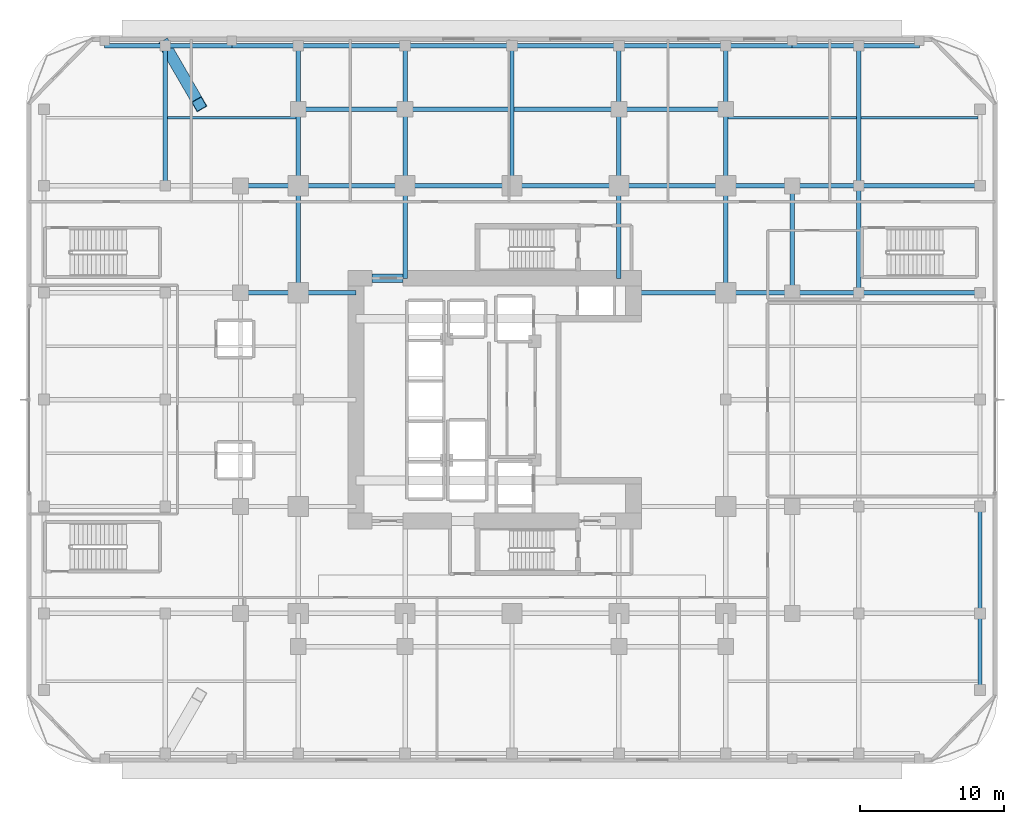
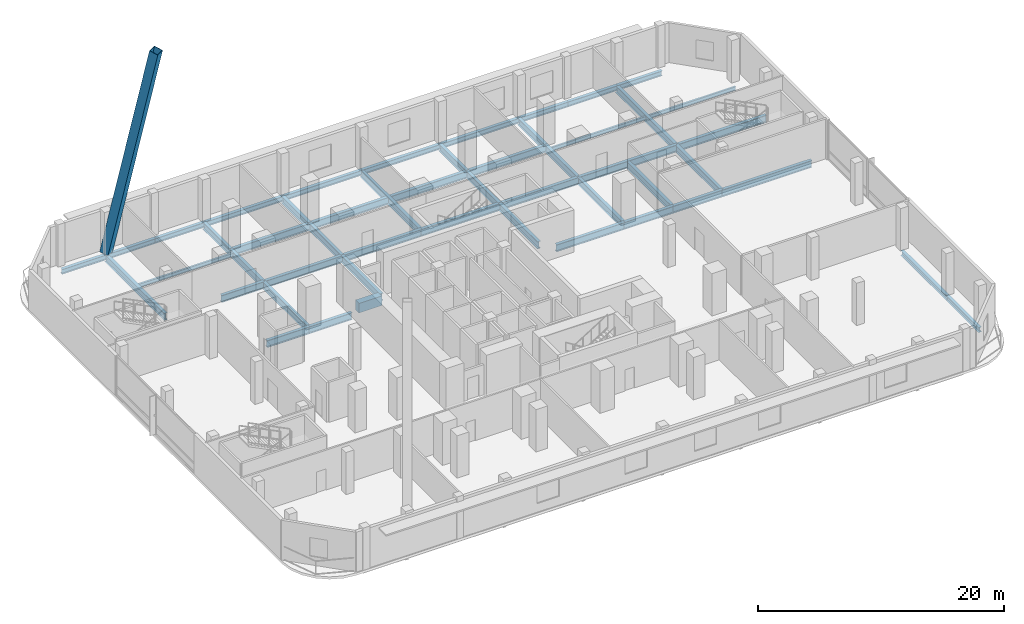
# One storey, part 5 of 19: 50 beams, 1 member.
"""IFC4 building model written with IfcOpenShell, lengths in metres."""

from ifc_helpers import new_model, si_unit, direction, frame, origin, origin_2d, place, context, subcontext, project, spatial, rectangle, hollow_rectangle, i_section, extrude, material, material_profile, profile_set, type_object, element, save


model = new_model("IFC4")

# Units and contexts
model_context = context("Model", 3, precision=1e-05, world=origin(), true_north=direction((0.0, 1.0)))
body_context = subcontext(model_context, "Body", "Model", "MODEL_VIEW")
ifc_project = project(units=[si_unit("LENGTHUNIT", "METRE"), si_unit("AREAUNIT", "SQUARE_METRE"), si_unit("VOLUMEUNIT", "CUBIC_METRE"), si_unit("PLANEANGLEUNIT", "RADIAN"), si_unit("MASSUNIT", "GRAM", prefix="KILO")], contexts=[model_context])

# Site, building, storey
site_placement = place(None, origin())
site = spatial("IfcSite", under=ifc_project, at=site_placement, CompositionType="ELEMENT")
building_placement = place(site_placement, origin())
building = spatial("IfcBuilding", under=site, at=building_placement, Name="Khorvyn Point Tower", CompositionType="ELEMENT")
storey_placement = place(building_placement, frame((0.0, 0.0, 4.800048828125)))
storey = spatial("IfcBuildingStorey", under=building, at=storey_placement, Name="L02", CompositionType="ELEMENT", Elevation=4.800048828125)

# Beams
ifc_material_1 = material(Name="Concrete C50/60", Category="concrete")
ifc_material_profile_1 = material_profile(ifc_material_1, rectangle(XDim=0.60009765625, YDim=0.949951171875, at=origin_2d()))
ifc_profile_set_1 = profile_set([ifc_material_profile_1], Name="Concrete C50/60 RC600x950")
beam_type_1 = type_object("IfcBeamType", Name="Concrete C50/60 Beam RC600x950", PredefinedType="BEAM", material=ifc_profile_set_1)
beam_1_placement = place(storey_placement, frame((-9.699951171875, 8.39990234375, -0.715087890625), z_axis=(1.0, 0.0, 0.0), x_axis=(0.0, 1.0, 0.0)))
element("IfcBeam", 1, at=beam_1_placement, inside=storey, type_object=beam_type_1, Name="L02 Core Northwest Portal Coupling Beam", PredefinedType="BEAM", context=body_context, shape_type="SweptSolid", body=[
    extrude(rectangle(XDim=0.60009765625, YDim=0.949951171875, at=origin_2d()), origin(), (0.0, 0.0, 1.0), 2.14990234375),
])
ifc_material_2 = material(Name="Steel S355", Category="steel")
ifc_material_profile_2 = material_profile(ifc_material_2, i_section(OverallWidth=0.300048828125, OverallDepth=0.699951171875, WebThickness=0.012939453125, FlangeThickness=0.02392578125, at=origin_2d()))
ifc_profile_set_2 = profile_set([ifc_material_profile_2], Name="Steel S355 H700x300x13x24")
beam_type_2 = type_object("IfcBeamType", Name="Steel S355 Beam H700x300x13x24", PredefinedType="BEAM", material=ifc_profile_set_2)
for number, where, z_axis, x_axis, name in (
    (2, (-18.800048828125, 7.39990234375, -0.590087890625), (1.0, 0.0, 0.0), (0.0, 1.0, 0.0), "Beam"),
    (3, (-14.800048828125, 7.39990234375, -0.590087890625), (1.0, 0.0, 0.0), (0.0, 1.0, 0.0), "Beam"),
):
    element("IfcBeam", number, at=place(storey_placement, frame(where, z_axis=z_axis, x_axis=x_axis)), inside=storey, type_object=beam_type_2, Name=name, PredefinedType="BEAM", context=body_context, shape_type="SweptSolid", body=[
        extrude(i_section(OverallWidth=0.300048828125, OverallDepth=0.699951171875, WebThickness=0.012939453125, FlangeThickness=0.02392578125, at=origin_2d()), origin(), (0.0, 0.0, 1.0), 4.0),
    ])
beam_2_placement = place(storey_placement, frame((8.39990234375, 7.39990234375, -0.590087890625), z_axis=(1.0, 0.0, 0.0), x_axis=(0.0, 1.0, 0.0)))
element("IfcBeam", 4, at=beam_2_placement, inside=storey, type_object=beam_type_2, Name="Beam", PredefinedType="BEAM", context=body_context, shape_type="SweptSolid", body=[
    extrude(i_section(OverallWidth=0.300048828125, OverallDepth=0.699951171875, WebThickness=0.012939453125, FlangeThickness=0.02392578125, at=origin_2d()), origin(), (0.0, 0.0, 1.0), 6.400146484375),
])
beam_3_placement = place(storey_placement, frame((14.800048828125, 7.39990234375, -0.590087890625), z_axis=(1.0, 0.0, 0.0), x_axis=(0.0, 1.0, 0.0)))
element("IfcBeam", 5, at=beam_3_placement, inside=storey, type_object=beam_type_2, Name="Beam", PredefinedType="BEAM", context=body_context, shape_type="SweptSolid", body=[
    extrude(i_section(OverallWidth=0.300048828125, OverallDepth=0.699951171875, WebThickness=0.012939453125, FlangeThickness=0.02392578125, at=origin_2d()), origin(), (0.0, 0.0, 1.0), 4.599853515625),
])
beam_4_placement = place(storey_placement, frame((19.39990234375, 7.39990234375, -0.590087890625), z_axis=(1.0, 0.0, 0.0), x_axis=(0.0, 1.0, 0.0)))
element("IfcBeam", 6, at=beam_4_placement, inside=storey, type_object=beam_type_2, Name="Beam", PredefinedType="BEAM", context=body_context, shape_type="SweptSolid", body=[
    extrude(i_section(OverallWidth=0.300048828125, OverallDepth=0.699951171875, WebThickness=0.012939453125, FlangeThickness=0.02392578125, at=origin_2d()), origin(), (0.0, 0.0, 1.0), 4.60009765625),
])
beam_5_placement = place(storey_placement, frame((24.0, 7.39990234375, -0.590087890625), z_axis=(1.0, 0.0, 0.0), x_axis=(0.0, 1.0, 0.0)))
element("IfcBeam", 7, at=beam_5_placement, inside=storey, type_object=beam_type_2, Name="Beam", PredefinedType="BEAM", context=body_context, shape_type="SweptSolid", body=[
    extrude(i_section(OverallWidth=0.300048828125, OverallDepth=0.699951171875, WebThickness=0.012939453125, FlangeThickness=0.02392578125, at=origin_2d()), origin(), (0.0, 0.0, 1.0), 8.39990234375),
])
beam_6_placement = place(storey_placement, frame((-18.800048828125, 14.800048828125, -0.590087890625), z_axis=(1.0, 0.0, 0.0), x_axis=(0.0, 1.0, 0.0)))
element("IfcBeam", 8, at=beam_6_placement, inside=storey, type_object=beam_type_2, Name="Beam", PredefinedType="BEAM", context=body_context, shape_type="SweptSolid", body=[
    extrude(i_section(OverallWidth=0.300048828125, OverallDepth=0.699951171875, WebThickness=0.012939453125, FlangeThickness=0.02392578125, at=origin_2d()), origin(), (0.0, 0.0, 1.0), 4.0),
])
beam_7_placement = place(storey_placement, frame((-14.800048828125, 14.800048828125, -0.590087890625), z_axis=(1.0, 0.0, 0.0), x_axis=(0.0, 1.0, 0.0)))
element("IfcBeam", 9, at=beam_7_placement, inside=storey, type_object=beam_type_2, Name="Beam", PredefinedType="BEAM", context=body_context, shape_type="SweptSolid", body=[
    extrude(i_section(OverallWidth=0.300048828125, OverallDepth=0.699951171875, WebThickness=0.012939453125, FlangeThickness=0.02392578125, at=origin_2d()), origin(), (0.0, 0.0, 1.0), 7.400146484375),
])
for number, where, z_axis, x_axis, name in (
    (10, (-7.39990234375, 14.800048828125, -0.590087890625), (1.0, 0.0, 0.0), (0.0, 1.0, 0.0), "Beam"),
    (11, (0.0, 14.800048828125, -0.590087890625), (1.0, 0.0, 0.0), (0.0, 1.0, 0.0), "Beam"),
):
    element("IfcBeam", number, at=place(storey_placement, frame(where, z_axis=z_axis, x_axis=x_axis)), inside=storey, type_object=beam_type_2, Name=name, PredefinedType="BEAM", context=body_context, shape_type="SweptSolid", body=[
        extrude(i_section(OverallWidth=0.300048828125, OverallDepth=0.699951171875, WebThickness=0.012939453125, FlangeThickness=0.02392578125, at=origin_2d()), origin(), (0.0, 0.0, 1.0), 7.39990234375),
    ])
beam_8_placement = place(storey_placement, frame((7.39990234375, 14.800048828125, -0.590087890625), z_axis=(1.0, 0.0, 0.0), x_axis=(0.0, 1.0, 0.0)))
element("IfcBeam", 12, at=beam_8_placement, inside=storey, type_object=beam_type_2, Name="Beam", PredefinedType="BEAM", context=body_context, shape_type="SweptSolid", body=[
    extrude(i_section(OverallWidth=0.300048828125, OverallDepth=0.699951171875, WebThickness=0.012939453125, FlangeThickness=0.02392578125, at=origin_2d()), origin(), (0.0, 0.0, 1.0), 7.400146484375),
])
beam_9_placement = place(storey_placement, frame((14.800048828125, 14.800048828125, -0.590087890625), z_axis=(1.0, 0.0, 0.0), x_axis=(0.0, 1.0, 0.0)))
element("IfcBeam", 13, at=beam_9_placement, inside=storey, type_object=beam_type_2, Name="Beam", PredefinedType="BEAM", context=body_context, shape_type="SweptSolid", body=[
    extrude(i_section(OverallWidth=0.300048828125, OverallDepth=0.699951171875, WebThickness=0.012939453125, FlangeThickness=0.02392578125, at=origin_2d()), origin(), (0.0, 0.0, 1.0), 4.599853515625),
])
beam_10_placement = place(storey_placement, frame((19.39990234375, 14.800048828125, -0.590087890625), z_axis=(1.0, 0.0, 0.0), x_axis=(0.0, 1.0, 0.0)))
element("IfcBeam", 14, at=beam_10_placement, inside=storey, type_object=beam_type_2, Name="Beam", PredefinedType="BEAM", context=body_context, shape_type="SweptSolid", body=[
    extrude(i_section(OverallWidth=0.300048828125, OverallDepth=0.699951171875, WebThickness=0.012939453125, FlangeThickness=0.02392578125, at=origin_2d()), origin(), (0.0, 0.0, 1.0), 4.60009765625),
])
beam_11_placement = place(storey_placement, frame((24.0, 14.800048828125, -0.590087890625), z_axis=(1.0, 0.0, 0.0), x_axis=(0.0, 1.0, 0.0)))
element("IfcBeam", 15, at=beam_11_placement, inside=storey, type_object=beam_type_2, Name="Beam", PredefinedType="BEAM", context=body_context, shape_type="SweptSolid", body=[
    extrude(i_section(OverallWidth=0.300048828125, OverallDepth=0.699951171875, WebThickness=0.012939453125, FlangeThickness=0.02392578125, at=origin_2d()), origin(), (0.0, 0.0, 1.0), 8.39990234375),
])
beam_12_placement = place(storey_placement, frame((-14.800048828125, 20.10009765625, -0.590087890625), z_axis=(1.0, 0.0, 0.0), x_axis=(0.0, 1.0, 0.0)))
element("IfcBeam", 16, at=beam_12_placement, inside=storey, type_object=beam_type_2, Name="Beam", PredefinedType="BEAM", context=body_context, shape_type="SweptSolid", body=[
    extrude(i_section(OverallWidth=0.300048828125, OverallDepth=0.699951171875, WebThickness=0.012939453125, FlangeThickness=0.02392578125, at=origin_2d()), origin(), (0.0, 0.0, 1.0), 7.400146484375),
])
beam_13_placement = place(storey_placement, frame((-7.39990234375, 20.10009765625, -0.590087890625), z_axis=(1.0, 0.0, 0.0), x_axis=(0.0, 1.0, 0.0)))
element("IfcBeam", 17, at=beam_13_placement, inside=storey, type_object=beam_type_2, Name="Beam", PredefinedType="BEAM", context=body_context, shape_type="SweptSolid", body=[
    extrude(i_section(OverallWidth=0.300048828125, OverallDepth=0.699951171875, WebThickness=0.012939453125, FlangeThickness=0.02392578125, at=origin_2d()), origin(), (0.0, 0.0, 1.0), 14.7998046875),
])
beam_14_placement = place(storey_placement, frame((7.39990234375, 20.10009765625, -0.590087890625), z_axis=(1.0, 0.0, 0.0), x_axis=(0.0, 1.0, 0.0)))
element("IfcBeam", 18, at=beam_14_placement, inside=storey, type_object=beam_type_2, Name="Beam", PredefinedType="BEAM", context=body_context, shape_type="SweptSolid", body=[
    extrude(i_section(OverallWidth=0.300048828125, OverallDepth=0.699951171875, WebThickness=0.012939453125, FlangeThickness=0.02392578125, at=origin_2d()), origin(), (0.0, 0.0, 1.0), 7.400146484375),
])
beam_15_placement = place(storey_placement, frame((-24.0, 14.800048828125, -0.590087890625), z_axis=(0.0, 1.0, 0.0), x_axis=(-1.0, 0.0, 0.0)))
element("IfcBeam", 19, at=beam_15_placement, inside=storey, type_object=beam_type_2, Name="Beam", PredefinedType="BEAM", context=body_context, shape_type="SweptSolid", body=[
    extrude(i_section(OverallWidth=0.300048828125, OverallDepth=0.699951171875, WebThickness=0.012939453125, FlangeThickness=0.02392578125, at=origin_2d()), origin(), (0.0, 0.0, 1.0), 9.699951171875),
])
beam_16_placement = place(storey_placement, frame((-14.800048828125, 7.39990234375, -0.590087890625), z_axis=(0.0, 1.0, 0.0), x_axis=(-1.0, 0.0, 0.0)))
element("IfcBeam", 20, at=beam_16_placement, inside=storey, type_object=beam_type_2, Name="Beam", PredefinedType="BEAM", context=body_context, shape_type="SweptSolid", body=[
    extrude(i_section(OverallWidth=0.300048828125, OverallDepth=0.699951171875, WebThickness=0.012939453125, FlangeThickness=0.02392578125, at=origin_2d()), origin(), (0.0, 0.0, 1.0), 7.400146484375),
])
beam_17_placement = place(storey_placement, frame((-14.800048828125, 14.800048828125, -0.590087890625), z_axis=(0.0, 1.0, 0.0), x_axis=(-1.0, 0.0, 0.0)))
element("IfcBeam", 21, at=beam_17_placement, inside=storey, type_object=beam_type_2, Name="Beam", PredefinedType="BEAM", context=body_context, shape_type="SweptSolid", body=[
    extrude(i_section(OverallWidth=0.300048828125, OverallDepth=0.699951171875, WebThickness=0.012939453125, FlangeThickness=0.02392578125, at=origin_2d()), origin(), (0.0, 0.0, 1.0), 5.300048828125),
])
beam_18_placement = place(storey_placement, frame((-14.800048828125, 20.10009765625, -0.590087890625), z_axis=(0.0, 1.0, 0.0), x_axis=(-1.0, 0.0, 0.0)))
element("IfcBeam", 22, at=beam_18_placement, inside=storey, type_object=beam_type_2, Name="Beam", PredefinedType="BEAM", context=body_context, shape_type="SweptSolid", body=[
    extrude(i_section(OverallWidth=0.300048828125, OverallDepth=0.699951171875, WebThickness=0.012939453125, FlangeThickness=0.02392578125, at=origin_2d()), origin(), (0.0, 0.0, 1.0), 4.39990234375),
])
beam_19_placement = place(storey_placement, frame((-7.39990234375, 8.39990234375, -0.590087890625), z_axis=(0.0, 1.0, 0.0), x_axis=(-1.0, 0.0, 0.0)))
element("IfcBeam", 23, at=beam_19_placement, inside=storey, type_object=beam_type_2, Name="Beam", PredefinedType="BEAM", context=body_context, shape_type="SweptSolid", body=[
    extrude(i_section(OverallWidth=0.300048828125, OverallDepth=0.699951171875, WebThickness=0.012939453125, FlangeThickness=0.02392578125, at=origin_2d()), origin(), (0.0, 0.0, 1.0), 6.400146484375),
])
beam_20_placement = place(storey_placement, frame((-7.39990234375, 14.800048828125, -0.590087890625), z_axis=(0.0, 1.0, 0.0), x_axis=(-1.0, 0.0, 0.0)))
element("IfcBeam", 24, at=beam_20_placement, inside=storey, type_object=beam_type_2, Name="Beam", PredefinedType="BEAM", context=body_context, shape_type="SweptSolid", body=[
    extrude(i_section(OverallWidth=0.300048828125, OverallDepth=0.699951171875, WebThickness=0.012939453125, FlangeThickness=0.02392578125, at=origin_2d()), origin(), (0.0, 0.0, 1.0), 5.300048828125),
])
beam_21_placement = place(storey_placement, frame((-7.39990234375, 20.10009765625, -0.590087890625), z_axis=(0.0, 1.0, 0.0), x_axis=(-1.0, 0.0, 0.0)))
element("IfcBeam", 25, at=beam_21_placement, inside=storey, type_object=beam_type_2, Name="Beam", PredefinedType="BEAM", context=body_context, shape_type="SweptSolid", body=[
    extrude(i_section(OverallWidth=0.300048828125, OverallDepth=0.699951171875, WebThickness=0.012939453125, FlangeThickness=0.02392578125, at=origin_2d()), origin(), (0.0, 0.0, 1.0), 4.39990234375),
])
beam_22_placement = place(storey_placement, frame((0.0, 14.800048828125, -0.590087890625), z_axis=(0.0, 1.0, 0.0), x_axis=(-1.0, 0.0, 0.0)))
element("IfcBeam", 26, at=beam_22_placement, inside=storey, type_object=beam_type_2, Name="Beam", PredefinedType="BEAM", context=body_context, shape_type="SweptSolid", body=[
    extrude(i_section(OverallWidth=0.300048828125, OverallDepth=0.699951171875, WebThickness=0.012939453125, FlangeThickness=0.02392578125, at=origin_2d()), origin(), (0.0, 0.0, 1.0), 9.699951171875),
])
beam_23_placement = place(storey_placement, frame((7.39990234375, 8.39990234375, -0.590087890625), z_axis=(0.0, 1.0, 0.0), x_axis=(-1.0, 0.0, 0.0)))
element("IfcBeam", 27, at=beam_23_placement, inside=storey, type_object=beam_type_2, Name="Beam", PredefinedType="BEAM", context=body_context, shape_type="SweptSolid", body=[
    extrude(i_section(OverallWidth=0.300048828125, OverallDepth=0.699951171875, WebThickness=0.012939453125, FlangeThickness=0.02392578125, at=origin_2d()), origin(), (0.0, 0.0, 1.0), 6.400146484375),
])
beam_24_placement = place(storey_placement, frame((7.39990234375, 14.800048828125, -0.590087890625), z_axis=(0.0, 1.0, 0.0), x_axis=(-1.0, 0.0, 0.0)))
element("IfcBeam", 28, at=beam_24_placement, inside=storey, type_object=beam_type_2, Name="Beam", PredefinedType="BEAM", context=body_context, shape_type="SweptSolid", body=[
    extrude(i_section(OverallWidth=0.300048828125, OverallDepth=0.699951171875, WebThickness=0.012939453125, FlangeThickness=0.02392578125, at=origin_2d()), origin(), (0.0, 0.0, 1.0), 5.300048828125),
])
beam_25_placement = place(storey_placement, frame((7.39990234375, 20.10009765625, -0.590087890625), z_axis=(0.0, 1.0, 0.0), x_axis=(-1.0, 0.0, 0.0)))
element("IfcBeam", 29, at=beam_25_placement, inside=storey, type_object=beam_type_2, Name="Beam", PredefinedType="BEAM", context=body_context, shape_type="SweptSolid", body=[
    extrude(i_section(OverallWidth=0.300048828125, OverallDepth=0.699951171875, WebThickness=0.012939453125, FlangeThickness=0.02392578125, at=origin_2d()), origin(), (0.0, 0.0, 1.0), 4.39990234375),
])
beam_26_placement = place(storey_placement, frame((14.800048828125, 7.39990234375, -0.590087890625), z_axis=(0.0, 1.0, 0.0), x_axis=(-1.0, 0.0, 0.0)))
element("IfcBeam", 30, at=beam_26_placement, inside=storey, type_object=beam_type_2, Name="Beam", PredefinedType="BEAM", context=body_context, shape_type="SweptSolid", body=[
    extrude(i_section(OverallWidth=0.300048828125, OverallDepth=0.699951171875, WebThickness=0.012939453125, FlangeThickness=0.02392578125, at=origin_2d()), origin(), (0.0, 0.0, 1.0), 7.400146484375),
])
beam_27_placement = place(storey_placement, frame((14.800048828125, 14.800048828125, -0.590087890625), z_axis=(0.0, 1.0, 0.0), x_axis=(-1.0, 0.0, 0.0)))
element("IfcBeam", 31, at=beam_27_placement, inside=storey, type_object=beam_type_2, Name="Beam", PredefinedType="BEAM", context=body_context, shape_type="SweptSolid", body=[
    extrude(i_section(OverallWidth=0.300048828125, OverallDepth=0.699951171875, WebThickness=0.012939453125, FlangeThickness=0.02392578125, at=origin_2d()), origin(), (0.0, 0.0, 1.0), 5.300048828125),
])
beam_28_placement = place(storey_placement, frame((14.800048828125, 20.10009765625, -0.590087890625), z_axis=(0.0, 1.0, 0.0), x_axis=(-1.0, 0.0, 0.0)))
element("IfcBeam", 32, at=beam_28_placement, inside=storey, type_object=beam_type_2, Name="Beam", PredefinedType="BEAM", context=body_context, shape_type="SweptSolid", body=[
    extrude(i_section(OverallWidth=0.300048828125, OverallDepth=0.699951171875, WebThickness=0.012939453125, FlangeThickness=0.02392578125, at=origin_2d()), origin(), (0.0, 0.0, 1.0), 4.39990234375),
])
beam_29_placement = place(storey_placement, frame((24.0, 7.39990234375, -0.590087890625), z_axis=(0.0, 1.0, 0.0), x_axis=(-1.0, 0.0, 0.0)))
element("IfcBeam", 33, at=beam_29_placement, inside=storey, type_object=beam_type_2, Name="Beam", PredefinedType="BEAM", context=body_context, shape_type="SweptSolid", body=[
    extrude(i_section(OverallWidth=0.300048828125, OverallDepth=0.699951171875, WebThickness=0.012939453125, FlangeThickness=0.02392578125, at=origin_2d()), origin(), (0.0, 0.0, 1.0), 7.400146484375),
])
beam_30_placement = place(storey_placement, frame((24.0, 14.800048828125, -0.590087890625), z_axis=(0.0, 1.0, 0.0), x_axis=(-1.0, 0.0, 0.0)))
element("IfcBeam", 34, at=beam_30_placement, inside=storey, type_object=beam_type_2, Name="Beam", PredefinedType="BEAM", context=body_context, shape_type="SweptSolid", body=[
    extrude(i_section(OverallWidth=0.300048828125, OverallDepth=0.699951171875, WebThickness=0.012939453125, FlangeThickness=0.02392578125, at=origin_2d()), origin(), (0.0, 0.0, 1.0), 9.699951171875),
])
beam_31_placement = place(storey_placement, frame((19.39990234375, 7.39990234375, -0.590087890625), z_axis=(0.0, 1.0, 0.0), x_axis=(-1.0, 0.0, 0.0)))
element("IfcBeam", 35, at=beam_31_placement, inside=storey, type_object=beam_type_2, Name="Beam", PredefinedType="BEAM", context=body_context, shape_type="SweptSolid", body=[
    extrude(i_section(OverallWidth=0.300048828125, OverallDepth=0.699951171875, WebThickness=0.012939453125, FlangeThickness=0.02392578125, at=origin_2d()), origin(), (0.0, 0.0, 1.0), 7.400146484375),
])
ifc_material_profile_3 = material_profile(ifc_material_2, i_section(OverallWidth=0.175048828125, OverallDepth=0.35009765625, WebThickness=0.007080078125, FlangeThickness=0.010986328125, at=origin_2d()))
ifc_profile_set_3 = profile_set([ifc_material_profile_3], Name="Steel S355 H350x175x7x11")
beam_type_3 = type_object("IfcBeamType", Name="Steel S355 Joist H350x175x7x11", PredefinedType="JOIST", material=ifc_profile_set_3)
for number, where, z_axis, x_axis, name in (
    (36, (-23.85009765625, 19.5, -0.4150390625), (1.0, 0.0, 0.0), (0.0, 1.0, 0.0), "Beam"),
    (37, (14.949951171875, 19.5, -0.4150390625), (1.0, 0.0, 0.0), (0.0, 1.0, 0.0), "Beam"),
):
    element("IfcBeam", number, at=place(storey_placement, frame(where, z_axis=z_axis, x_axis=x_axis)), inside=storey, type_object=beam_type_3, Name=name, PredefinedType="JOIST", context=body_context, shape_type="SweptSolid", body=[
        extrude(i_section(OverallWidth=0.175048828125, OverallDepth=0.35009765625, WebThickness=0.007080078125, FlangeThickness=0.010986328125, at=origin_2d()), origin(), (0.0, 0.0, 1.0), 8.900146484375),
    ])
beam_32_placement = place(storey_placement, frame((24.14990234375, 19.5, -0.4150390625), z_axis=(1.0, 0.0, 0.0), x_axis=(0.0, 1.0, 0.0)))
element("IfcBeam", 38, at=beam_32_placement, inside=storey, type_object=beam_type_3, Name="Beam", PredefinedType="JOIST", context=body_context, shape_type="SweptSolid", body=[
    extrude(i_section(OverallWidth=0.175048828125, OverallDepth=0.35009765625, WebThickness=0.007080078125, FlangeThickness=0.010986328125, at=origin_2d()), origin(), (0.0, 0.0, 1.0), 8.10009765625),
])
ifc_material_profile_4 = material_profile(ifc_material_2, i_section(OverallWidth=0.300048828125, OverallDepth=0.488037109375, WebThickness=0.010986328125, FlangeThickness=0.01806640625, at=origin_2d()))
ifc_profile_set_4 = profile_set([ifc_material_profile_4], Name="Steel S355 H488x300x11x18")
beam_type_4 = type_object("IfcBeamType", Name="Steel S355 Spandrel H488x300x11x18", PredefinedType="SPANDREL", material=ifc_profile_set_4)
beam_33_placement = place(storey_placement, frame((-28.199951171875, 24.5, -0.484130859375), z_axis=(1.0, 0.0, 0.0), x_axis=(0.0, 1.0, 0.0)))
element("IfcBeam", 39, at=beam_33_placement, inside=storey, type_object=beam_type_4, Name="Beam", PredefinedType="SPANDREL", context=body_context, shape_type="SweptSolid", body=[
    extrude(i_section(OverallWidth=0.300048828125, OverallDepth=0.488037109375, WebThickness=0.010986328125, FlangeThickness=0.01806640625, at=origin_2d()), origin(), (0.0, 0.0, 1.0), 4.199951171875),
])
beam_34_placement = place(storey_placement, frame((-24.0, 24.5, -0.484130859375), z_axis=(1.0, 0.0, 0.0), x_axis=(0.0, 1.0, 0.0)))
element("IfcBeam", 40, at=beam_34_placement, inside=storey, type_object=beam_type_4, Name="Beam", PredefinedType="SPANDREL", context=body_context, shape_type="SweptSolid", body=[
    extrude(i_section(OverallWidth=0.300048828125, OverallDepth=0.488037109375, WebThickness=0.010986328125, FlangeThickness=0.01806640625, at=origin_2d()), origin(), (0.0, 0.0, 1.0), 4.60009765625),
])
beam_35_placement = place(storey_placement, frame((-19.39990234375, 24.5, -0.484130859375), z_axis=(1.0, 0.0, 0.0), x_axis=(0.0, 1.0, 0.0)))
element("IfcBeam", 41, at=beam_35_placement, inside=storey, type_object=beam_type_4, Name="Beam", PredefinedType="SPANDREL", context=body_context, shape_type="SweptSolid", body=[
    extrude(i_section(OverallWidth=0.300048828125, OverallDepth=0.488037109375, WebThickness=0.010986328125, FlangeThickness=0.01806640625, at=origin_2d()), origin(), (0.0, 0.0, 1.0), 4.599853515625),
])
beam_36_placement = place(storey_placement, frame((-14.800048828125, 24.5, -0.484130859375), z_axis=(1.0, 0.0, 0.0), x_axis=(0.0, 1.0, 0.0)))
element("IfcBeam", 42, at=beam_36_placement, inside=storey, type_object=beam_type_4, Name="Beam", PredefinedType="SPANDREL", context=body_context, shape_type="SweptSolid", body=[
    extrude(i_section(OverallWidth=0.300048828125, OverallDepth=0.488037109375, WebThickness=0.010986328125, FlangeThickness=0.01806640625, at=origin_2d()), origin(), (0.0, 0.0, 1.0), 7.400146484375),
])
for number, where, z_axis, x_axis, name in (
    (43, (-7.39990234375, 24.5, -0.484130859375), (1.0, 0.0, 0.0), (0.0, 1.0, 0.0), "Beam"),
    (44, (0.0, 24.5, -0.484130859375), (1.0, 0.0, 0.0), (0.0, 1.0, 0.0), "Beam"),
):
    element("IfcBeam", number, at=place(storey_placement, frame(where, z_axis=z_axis, x_axis=x_axis)), inside=storey, type_object=beam_type_4, Name=name, PredefinedType="SPANDREL", context=body_context, shape_type="SweptSolid", body=[
        extrude(i_section(OverallWidth=0.300048828125, OverallDepth=0.488037109375, WebThickness=0.010986328125, FlangeThickness=0.01806640625, at=origin_2d()), origin(), (0.0, 0.0, 1.0), 7.39990234375),
    ])
beam_37_placement = place(storey_placement, frame((7.39990234375, 24.5, -0.484130859375), z_axis=(1.0, 0.0, 0.0), x_axis=(0.0, 1.0, 0.0)))
element("IfcBeam", 45, at=beam_37_placement, inside=storey, type_object=beam_type_4, Name="Beam", PredefinedType="SPANDREL", context=body_context, shape_type="SweptSolid", body=[
    extrude(i_section(OverallWidth=0.300048828125, OverallDepth=0.488037109375, WebThickness=0.010986328125, FlangeThickness=0.01806640625, at=origin_2d()), origin(), (0.0, 0.0, 1.0), 7.400146484375),
])
beam_38_placement = place(storey_placement, frame((14.800048828125, 24.5, -0.484130859375), z_axis=(1.0, 0.0, 0.0), x_axis=(0.0, 1.0, 0.0)))
element("IfcBeam", 46, at=beam_38_placement, inside=storey, type_object=beam_type_4, Name="Beam", PredefinedType="SPANDREL", context=body_context, shape_type="SweptSolid", body=[
    extrude(i_section(OverallWidth=0.300048828125, OverallDepth=0.488037109375, WebThickness=0.010986328125, FlangeThickness=0.01806640625, at=origin_2d()), origin(), (0.0, 0.0, 1.0), 4.599853515625),
])
beam_39_placement = place(storey_placement, frame((19.39990234375, 24.5, -0.484130859375), z_axis=(1.0, 0.0, 0.0), x_axis=(0.0, 1.0, 0.0)))
element("IfcBeam", 47, at=beam_39_placement, inside=storey, type_object=beam_type_4, Name="Beam", PredefinedType="SPANDREL", context=body_context, shape_type="SweptSolid", body=[
    extrude(i_section(OverallWidth=0.300048828125, OverallDepth=0.488037109375, WebThickness=0.010986328125, FlangeThickness=0.01806640625, at=origin_2d()), origin(), (0.0, 0.0, 1.0), 4.60009765625),
])
beam_40_placement = place(storey_placement, frame((24.0, 24.5, -0.484130859375), z_axis=(1.0, 0.0, 0.0), x_axis=(0.0, 1.0, 0.0)))
element("IfcBeam", 48, at=beam_40_placement, inside=storey, type_object=beam_type_4, Name="Beam", PredefinedType="SPANDREL", context=body_context, shape_type="SweptSolid", body=[
    extrude(i_section(OverallWidth=0.300048828125, OverallDepth=0.488037109375, WebThickness=0.010986328125, FlangeThickness=0.01806640625, at=origin_2d()), origin(), (0.0, 0.0, 1.0), 4.199951171875),
])
beam_41_placement = place(storey_placement, frame((32.39990234375, -20.10009765625, -0.484130859375), z_axis=(0.0, 1.0, 0.0), x_axis=(-1.0, 0.0, 0.0)))
element("IfcBeam", 49, at=beam_41_placement, inside=storey, type_object=beam_type_4, Name="Beam", PredefinedType="SPANDREL", context=body_context, shape_type="SweptSolid", body=[
    extrude(i_section(OverallWidth=0.300048828125, OverallDepth=0.488037109375, WebThickness=0.010986328125, FlangeThickness=0.01806640625, at=origin_2d()), origin(), (0.0, 0.0, 1.0), 5.300048828125),
])
beam_42_placement = place(storey_placement, frame((32.39990234375, -14.800048828125, -0.484130859375), z_axis=(0.0, 1.0, 0.0), x_axis=(-1.0, 0.0, 0.0)))
element("IfcBeam", 50, at=beam_42_placement, inside=storey, type_object=beam_type_4, Name="Beam", PredefinedType="SPANDREL", context=body_context, shape_type="SweptSolid", body=[
    extrude(i_section(OverallWidth=0.300048828125, OverallDepth=0.488037109375, WebThickness=0.010986328125, FlangeThickness=0.01806640625, at=origin_2d()), origin(), (0.0, 0.0, 1.0), 7.400146484375),
])

# Member
ifc_material_3 = material(Name="Steel S450", Category="steel")
ifc_material_profile_5 = material_profile(ifc_material_3, hollow_rectangle(XDim=0.800048828125, YDim=0.800048828125, WallThickness=0.035888671875, at=origin_2d()))
ifc_profile_set_5 = profile_set([ifc_material_profile_5], Name="Steel S450 BOX800x800x36")
member_type = type_object("IfcMemberType", Name="Steel S450 Exoskeleton Structural Post BOX800x800x36", PredefinedType="POST", material=ifc_profile_set_5)
member_placement = place(storey_placement, frame((-24.0, 24.5, 0.0), z_axis=(0.10633169244, -0.18324708559, 0.977299379313), x_axis=(0.864932060113, 0.501888963207, 0.0)))
element("IfcMember", 51, at=member_placement, inside=storey, type_object=member_type, Name="L02 to L07 Exoskeleton Transfer Post 06", PredefinedType="POST", context=body_context, shape_type="SweptSolid", body=[
    extrude(hollow_rectangle(XDim=0.800048828125, YDim=0.800048828125, WallThickness=0.035888671875, at=origin_2d()), origin(), (0.0, 0.0, 1.0), 22.1015625),
])

save(model, "model.ifc")
